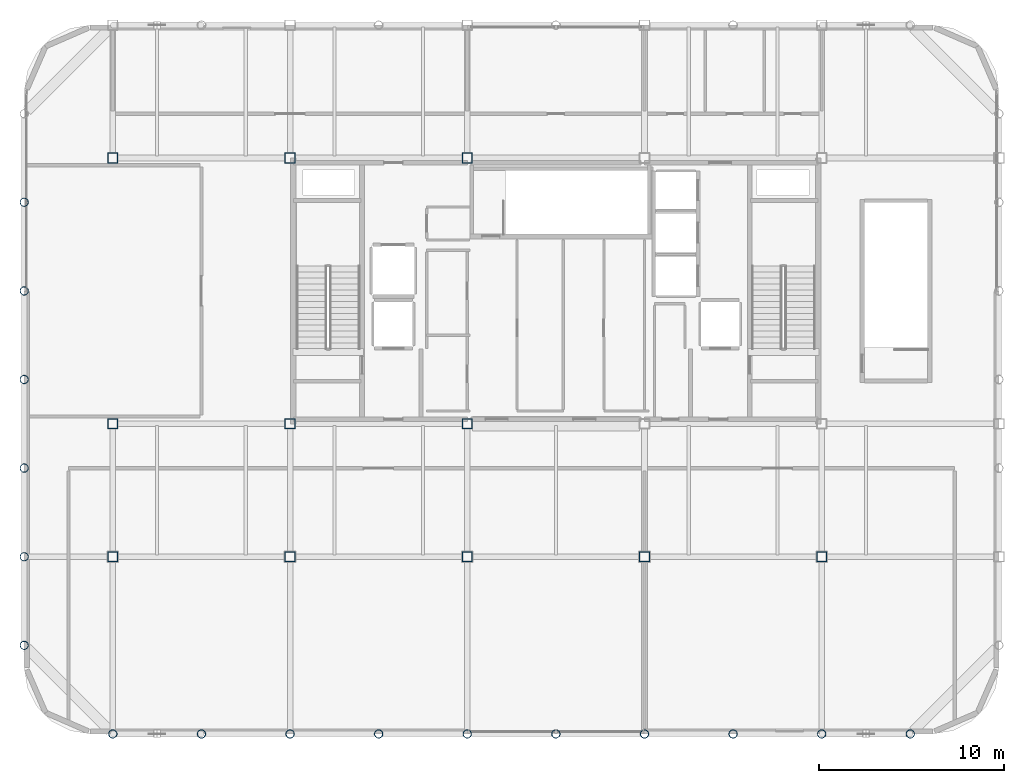
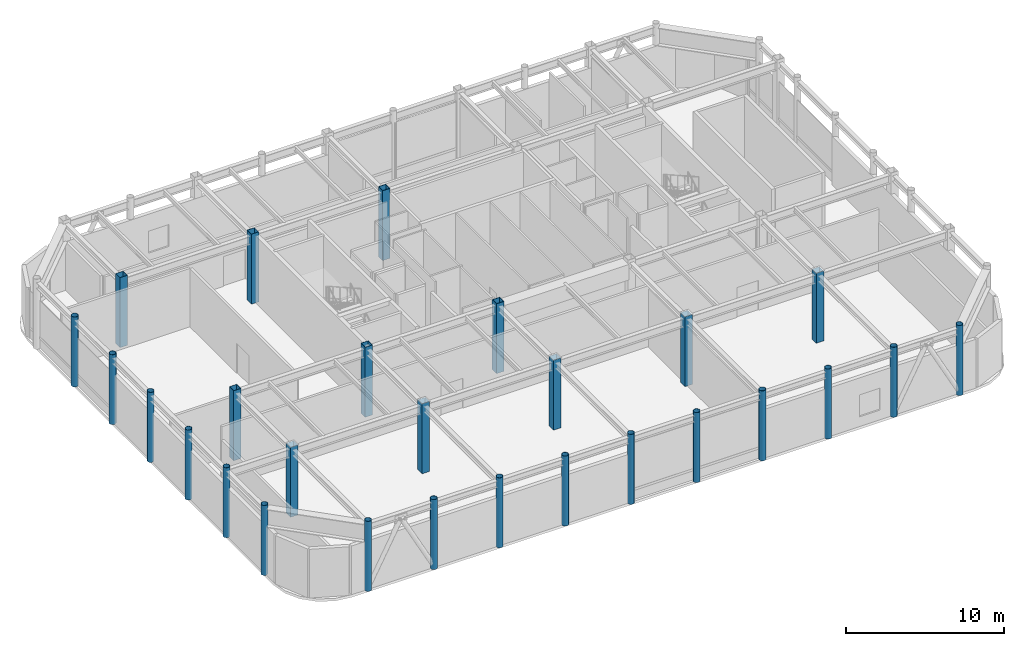
# One storey, part 1 of 21: 27 columns.
"""IFC4 building model written with IfcOpenShell, lengths in metres."""

from ifc_helpers import new_model, si_unit, direction, frame, origin, origin_2d, place, context, subcontext, project, spatial, hollow_rectangle, hollow_circle, extrude, material, material_profile, profile_set, type_object, element, save


model = new_model("IFC4")

# Units and contexts
model_context = context("Model", 3, precision=1e-05, world=origin(), true_north=direction((0.0, 1.0)))
body_context = subcontext(model_context, "Body", "Model", "MODEL_VIEW")
ifc_project = project(units=[si_unit("LENGTHUNIT", "METRE"), si_unit("AREAUNIT", "SQUARE_METRE"), si_unit("VOLUMEUNIT", "CUBIC_METRE"), si_unit("PLANEANGLEUNIT", "RADIAN"), si_unit("MASSUNIT", "GRAM", prefix="KILO")], contexts=[model_context])

# Site, building, storey
site_placement = place(None, origin())
site = spatial("IfcSite", under=ifc_project, at=site_placement, CompositionType="ELEMENT")
building_placement = place(site_placement, origin())
building = spatial("IfcBuilding", under=site, at=building_placement, Name="Kallvorn Hotel Tower", CompositionType="ELEMENT")
storey_placement = place(building_placement, frame((0.0, 0.0, 300.60009765625)))
storey = spatial("IfcBuildingStorey", under=building, at=storey_placement, Name="L74", CompositionType="ELEMENT", Elevation=300.60009765625)

# Columns
ifc_material_1 = material(Name="Structural steel S355J2H", Category="steel")
ifc_material_profile_1 = material_profile(ifc_material_1, hollow_circle(Radius=0.228515625, WallThickness=0.02001953125, at=origin_2d()), Name="CHS 457x20")
ifc_profile_set_1 = profile_set([ifc_material_profile_1], Name="Structural steel S355J2H")
column_type_1 = type_object("IfcColumnType", Name="COL_CHS_457", PredefinedType="COLUMN", material=ifc_profile_set_1)
for number, where, z_axis, x_axis, name in (
    (1, (-28.800048828125, -19.199951171875, 0.0), (0.0, 0.0, 1.0), (1.0, 0.0, 0.0), "L74 Exoskeleton Column EC01"),
    (2, (-28.800048828125, -14.39990234375, 0.0), (0.0, 0.0, 1.0), (1.0, 0.0, 0.0), "L74 Exoskeleton Column EC02"),
    (3, (-28.800048828125, -9.60009765625, 0.0), (0.0, 0.0, 1.0), (1.0, 0.0, 0.0), "L74 Exoskeleton Column EC03"),
    (4, (-28.800048828125, -4.800048828125, 0.0), (0.0, 0.0, 1.0), (1.0, 0.0, 0.0), "L74 Exoskeleton Column EC04"),
    (5, (-28.800048828125, 0.0, 0.0), (0.0, 0.0, 1.0), (1.0, 0.0, 0.0), "L74 Exoskeleton Column EC05"),
    (6, (-28.800048828125, 4.800048828125, 0.0), (0.0, 0.0, 1.0), (1.0, 0.0, 0.0), "L74 Exoskeleton Column EC06"),
    (7, (-24.0, -24.0, 0.0), (0.0, 0.0, 1.0), (1.0, 0.0, 0.0), "L74 Exoskeleton Column EC08"),
    (8, (-19.199951171875, -24.0, 0.0), (0.0, 0.0, 1.0), (1.0, 0.0, 0.0), "L74 Exoskeleton Column EC09"),
    (9, (-14.39990234375, -24.0, 0.0), (0.0, 0.0, 1.0), (1.0, 0.0, 0.0), "L74 Exoskeleton Column EC11"),
    (10, (-9.60009765625, -24.0, 0.0), (0.0, 0.0, 1.0), (1.0, 0.0, 0.0), "L74 Exoskeleton Column EC12"),
    (11, (-4.800048828125, -24.0, 0.0), (0.0, 0.0, 1.0), (1.0, 0.0, 0.0), "L74 Exoskeleton Column EC14"),
    (12, (0.0, -24.0, 0.0), (0.0, 0.0, 1.0), (1.0, 0.0, 0.0), "L74 Exoskeleton Column EC15"),
    (13, (4.800048828125, -24.0, 0.0), (0.0, 0.0, 1.0), (1.0, 0.0, 0.0), "L74 Exoskeleton Column EC17"),
    (14, (9.60009765625, -24.0, 0.0), (0.0, 0.0, 1.0), (1.0, 0.0, 0.0), "L74 Exoskeleton Column EC18"),
    (15, (14.39990234375, -24.0, 0.0), (0.0, 0.0, 1.0), (1.0, 0.0, 0.0), "L74 Exoskeleton Column EC20"),
    (16, (19.199951171875, -24.0, 0.0), (0.0, 0.0, 1.0), (1.0, 0.0, 0.0), "L74 Exoskeleton Column EC21"),
):
    element("IfcColumn", number, at=place(storey_placement, frame(where, z_axis=z_axis, x_axis=x_axis)), inside=storey, type_object=column_type_1, Name=name, PredefinedType="COLUMN", context=body_context, shape_type="SweptSolid", body=[
        extrude(hollow_circle(Radius=0.228515625, WallThickness=0.02001953125, at=origin_2d()), origin(), (0.0, 0.0, 1.0), 5.39990234375),
    ])
ifc_material_2 = material(Name="Structural steel S355J2H", Category="steel")
ifc_material_profile_2 = material_profile(ifc_material_2, hollow_rectangle(XDim=0.550048828125, YDim=0.550048828125, WallThickness=0.02490234375, at=origin_2d()), Name="RHS 550x550x25")
ifc_profile_set_2 = profile_set([ifc_material_profile_2], Name="Structural steel S355J2H")
column_type_2 = type_object("IfcColumnType", Name="COL_RHS_550", PredefinedType="COLUMN", material=ifc_profile_set_2)
for number, where, z_axis, x_axis, name in (
    (17, (-24.0, -14.39990234375, 0.0), (0.0, 0.0, 1.0), (1.0, 0.0, 0.0), "L74 Inner Column IC01"),
    (18, (-24.0, -7.199951171875, 0.0), (0.0, 0.0, 1.0), (1.0, 0.0, 0.0), "L74 Inner Column IC02"),
    (19, (-24.0, 7.199951171875, 0.0), (0.0, 0.0, 1.0), (1.0, 0.0, 0.0), "L74 Inner Column IC03"),
    (20, (-14.39990234375, -14.39990234375, 0.0), (0.0, 0.0, 1.0), (1.0, 0.0, 0.0), "L74 Inner Column IC05"),
    (21, (-14.39990234375, -7.199951171875, 0.0), (0.0, 0.0, 1.0), (1.0, 0.0, 0.0), "L74 Inner Column IC06"),
    (22, (-14.39990234375, 7.199951171875, 0.0), (0.0, 0.0, 1.0), (1.0, 0.0, 0.0), "L74 Inner Column IC07"),
    (23, (-4.800048828125, -14.39990234375, 0.0), (0.0, 0.0, 1.0), (1.0, 0.0, 0.0), "L74 Inner Column IC09"),
    (24, (-4.800048828125, -7.199951171875, 0.0), (0.0, 0.0, 1.0), (1.0, 0.0, 0.0), "L74 Inner Column IC10"),
    (25, (-4.800048828125, 7.199951171875, 0.0), (0.0, 0.0, 1.0), (1.0, 0.0, 0.0), "L74 Inner Column IC11"),
    (26, (4.800048828125, -14.39990234375, 0.0), (0.0, 0.0, 1.0), (1.0, 0.0, 0.0), "L74 Inner Column IC13"),
    (27, (14.39990234375, -14.39990234375, 0.0), (0.0, 0.0, 1.0), (1.0, 0.0, 0.0), "L74 Inner Column IC17"),
):
    element("IfcColumn", number, at=place(storey_placement, frame(where, z_axis=z_axis, x_axis=x_axis)), inside=storey, type_object=column_type_2, Name=name, PredefinedType="COLUMN", context=body_context, shape_type="SweptSolid", body=[
        extrude(hollow_rectangle(XDim=0.550048828125, YDim=0.550048828125, WallThickness=0.02490234375, at=origin_2d()), origin(), (0.0, 0.0, 1.0), 5.39990234375),
    ])

save(model, "model.ifc")
